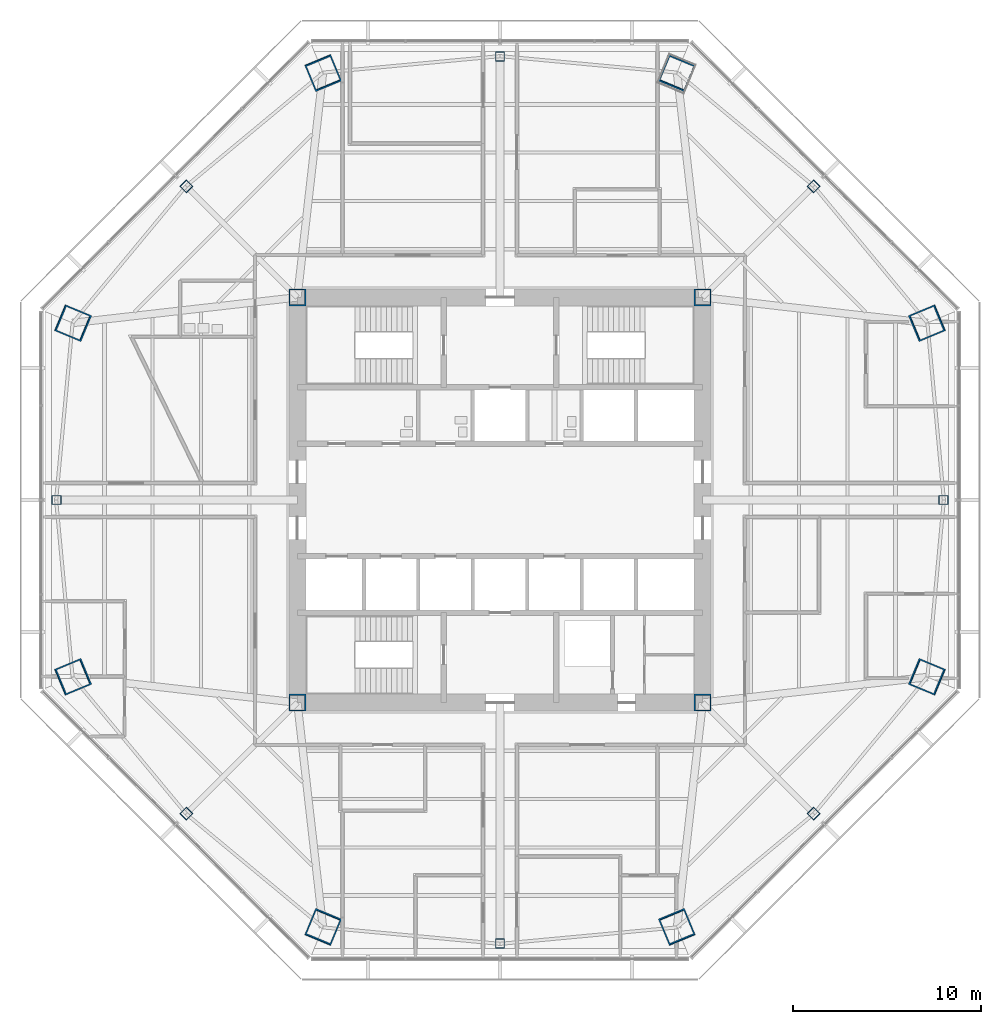
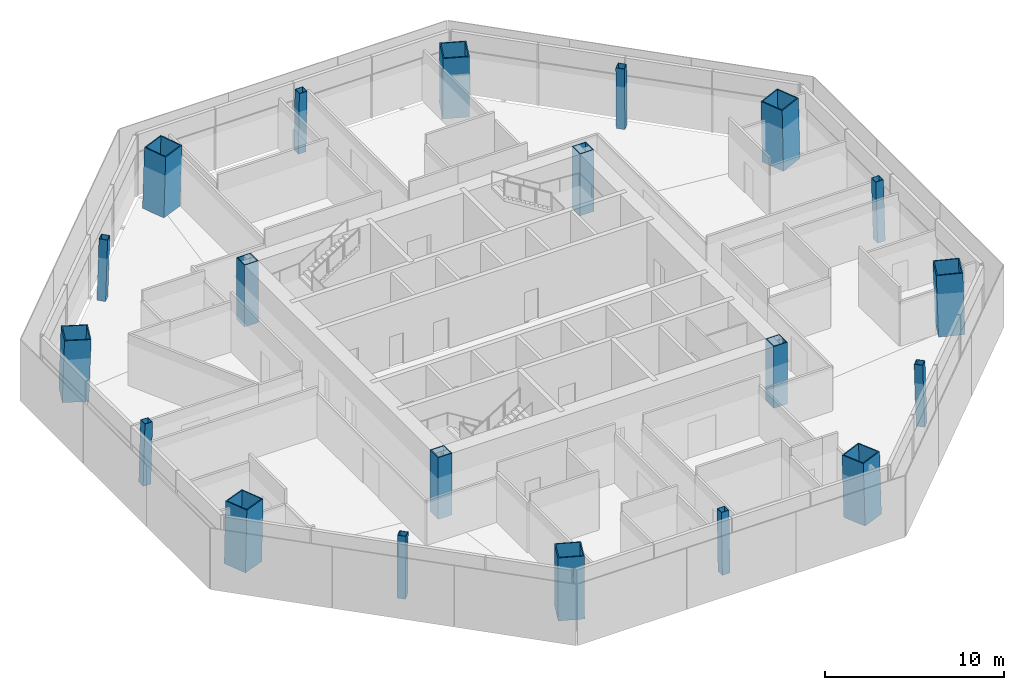
# One storey, part 1 of 15: 20 columns.
"""IFC4 building model written with IfcOpenShell, lengths in metres."""

from ifc_helpers import new_model, si_unit, direction, frame, origin, origin_2d, place, context, subcontext, project, spatial, hollow_rectangle, extrude, material, material_profile, profile_set, type_object, element, save


model = new_model("IFC4")

# Units and contexts
model_context = context("Model", 3, precision=1e-05, world=origin(), true_north=direction((0.0, 1.0)))
body_context = subcontext(model_context, "Body", "Model", "MODEL_VIEW")
ifc_project = project(units=[si_unit("LENGTHUNIT", "METRE"), si_unit("AREAUNIT", "SQUARE_METRE"), si_unit("VOLUMEUNIT", "CUBIC_METRE"), si_unit("PLANEANGLEUNIT", "RADIAN"), si_unit("MASSUNIT", "GRAM", prefix="KILO")], contexts=[model_context])

# Site, building, storey
site_placement = place(None, origin())
site = spatial("IfcSite", under=ifc_project, at=site_placement, CompositionType="ELEMENT")
building_placement = place(site_placement, origin())
building = spatial("IfcBuilding", under=site, at=building_placement, Name="Mashrafa Tower", CompositionType="ELEMENT")
storey_placement = place(building_placement, frame((0.0, 0.0, 126.0)))
storey = spatial("IfcBuildingStorey", under=building, at=storey_placement, Name="L28", CompositionType="ELEMENT", Elevation=126.0)

# Columns
ifc_material_1 = material(Name="Steel ASTM A572 Gr 50", Category="steel")
ifc_material_profile_1 = material_profile(ifc_material_1, hollow_rectangle(XDim=0.89990234375, YDim=0.89990234375, WallThickness=0.06005859375, at=origin_2d()), Name="BOX900X900X60")
ifc_profile_set_1 = profile_set([ifc_material_profile_1], Name="Steel ASTM A572 Gr 50")
column_type_1 = type_object("IfcColumnType", Name="Core corner column BOX900X900X60", PredefinedType="COLUMN", material=ifc_profile_set_1)
for number, where, z_axis, x_axis, name in (
    (1, (10.800048828125, 10.800048828125, 0.0), (0.0, 0.0, 1.0), (1.0, 0.0, 0.0), "Core corner column CC-NE L28"),
    (2, (-10.800048828125, 10.800048828125, 0.0), (0.0, 0.0, 1.0), (1.0, 0.0, 0.0), "Core corner column CC-NW L28"),
    (3, (-10.800048828125, -10.800048828125, 0.0), (0.0, 0.0, 1.0), (1.0, 0.0, 0.0), "Core corner column CC-SW L28"),
    (4, (10.800048828125, -10.800048828125, 0.0), (0.0, 0.0, 1.0), (1.0, 0.0, 0.0), "Core corner column CC-SE L28"),
):
    element("IfcColumn", number, at=place(storey_placement, frame(where, z_axis=z_axis, x_axis=x_axis)), inside=storey, type_object=column_type_1, Name=name, PredefinedType="COLUMN", context=body_context, shape_type="SweptSolid", body=[
        extrude(hollow_rectangle(XDim=0.89990234375, YDim=0.89990234375, WallThickness=0.06005859375, at=origin_2d()), origin(), (0.0, 0.0, 1.0), 4.199951171875),
    ])
ifc_material_2 = material(Name="Steel ASTM A572 Gr 50", Category="steel")
ifc_material_profile_2 = material_profile(ifc_material_2, hollow_rectangle(XDim=1.5, YDim=1.5, WallThickness=0.070068359375, at=origin_2d()), Name="BOX1500X1500X70")
ifc_profile_set_2 = profile_set([ifc_material_profile_2], Name="Steel ASTM A572 Gr 50")
column_type_2 = type_object("IfcColumnType", Name="Mega column CFST BOX1500X1500X70", PredefinedType="COLUMN", material=ifc_profile_set_2)
for number, where, z_axis, x_axis, name in (
    (5, (22.772216796875, 9.4326171875, 0.0), (-0.028295730207, -0.011736627314, 0.99953069149), (0.383133442967, -0.923693003589, 0.0), "Mega column MC1 L28"),
    (6, (9.4326171875, 22.772216796875, 0.0), (-0.011736627314, -0.028295730207, 0.99953069149), (0.923693003589, -0.383133442967, 0.0), "Mega column MC2 L28"),
    (7, (-9.4326171875, 22.772216796875, 0.0), (0.011736627314, -0.028295730207, 0.99953069149), (0.923693003589, 0.383133442967, 0.0), "Mega column MC3 L28"),
    (8, (-22.772216796875, 9.4326171875, 0.0), (0.028295730207, -0.011736627314, 0.99953069149), (0.383133442967, 0.923693003589, 0.0), "Mega column MC4 L28"),
    (9, (-22.772216796875, -9.4326171875, 0.0), (0.028295730207, 0.011736627314, 0.99953069149), (-0.383133442967, 0.923693003589, 0.0), "Mega column MC5 L28"),
    (10, (-9.4326171875, -22.772216796875, 0.0), (0.011736627314, 0.028295730207, 0.99953069149), (-0.923693003589, 0.383133442967, 0.0), "Mega column MC6 L28"),
    (11, (9.4326171875, -22.772216796875, 0.0), (-0.011736627314, 0.028295730207, 0.99953069149), (-0.923693003589, -0.383133442967, 0.0), "Mega column MC7 L28"),
    (12, (22.772216796875, -9.4326171875, 0.0), (-0.028295730207, 0.011736627314, 0.99953069149), (-0.383133442967, -0.923693003589, 0.0), "Mega column MC8 L28"),
):
    element("IfcColumn", number, at=place(storey_placement, frame(where, z_axis=z_axis, x_axis=x_axis)), inside=storey, type_object=column_type_2, Name=name, PredefinedType="COLUMN", context=body_context, shape_type="SweptSolid", body=[
        extrude(hollow_rectangle(XDim=1.5, YDim=1.5, WallThickness=0.070068359375, at=origin_2d()), origin(), (0.0, 0.0, 1.0), 4.201904296875),
    ])
ifc_material_3 = material(Name="Steel ASTM A572 Gr 50", Category="steel")
ifc_material_profile_3 = material_profile(ifc_material_3, hollow_rectangle(XDim=0.5, YDim=0.5, WallThickness=0.02490234375, at=origin_2d()), Name="BOX500X500X25")
ifc_profile_set_3 = profile_set([ifc_material_profile_3], Name="Steel ASTM A572 Gr 50")
column_type_3 = type_object("IfcColumnType", Name="Secondary column BOX500X500X25", PredefinedType="COLUMN", material=ifc_profile_set_3)
for number, where, z_axis, x_axis, name in (
    (13, (23.650390625, 0.0, 0.0), (-0.028297679255, 0.0, 0.99959954049), (0.0, -1.0, 0.0), "Secondary column SC1 L28"),
    (14, (16.723388671875, 16.723388671875, 0.0), (-0.019988521213, -0.019988521213, 0.999600379171), (0.707106781187, -0.707106781187, 0.0), "Secondary column SC2 L28"),
    (15, (0.0, 23.650390625, 0.0), (0.0, -0.028297679255, 0.99959954049), (1.0, 0.0, 0.0), "Secondary column SC3 L28"),
    (16, (-16.723388671875, 16.723388671875, 0.0), (0.019988521213, -0.019988521213, 0.999600379171), (0.707106781187, 0.707106781187, 0.0), "Secondary column SC4 L28"),
    (17, (-23.650390625, 0.0, 0.0), (0.028297679255, 0.0, 0.99959954049), (0.0, 1.0, 0.0), "Secondary column SC5 L28"),
    (18, (-16.723388671875, -16.723388671875, 0.0), (0.019988521213, 0.019988521213, 0.999600379171), (-0.707106781187, 0.707106781187, 0.0), "Secondary column SC6 L28"),
    (19, (0.0, -23.650390625, 0.0), (0.0, 0.028297679255, 0.99959954049), (-1.0, 0.0, 0.0), "Secondary column SC7 L28"),
    (20, (16.723388671875, -16.723388671875, 0.0), (-0.019988521213, 0.019988521213, 0.999600379171), (-0.707106781187, -0.707106781187, 0.0), "Secondary column SC8 L28"),
):
    element("IfcColumn", number, at=place(storey_placement, frame(where, z_axis=z_axis, x_axis=x_axis)), inside=storey, type_object=column_type_3, Name=name, PredefinedType="COLUMN", context=body_context, shape_type="SweptSolid", body=[
        extrude(hollow_rectangle(XDim=0.5, YDim=0.5, WallThickness=0.02490234375, at=origin_2d()), origin(), (0.0, 0.0, 1.0), 4.20166015625),
    ])

save(model, "model.ifc")
